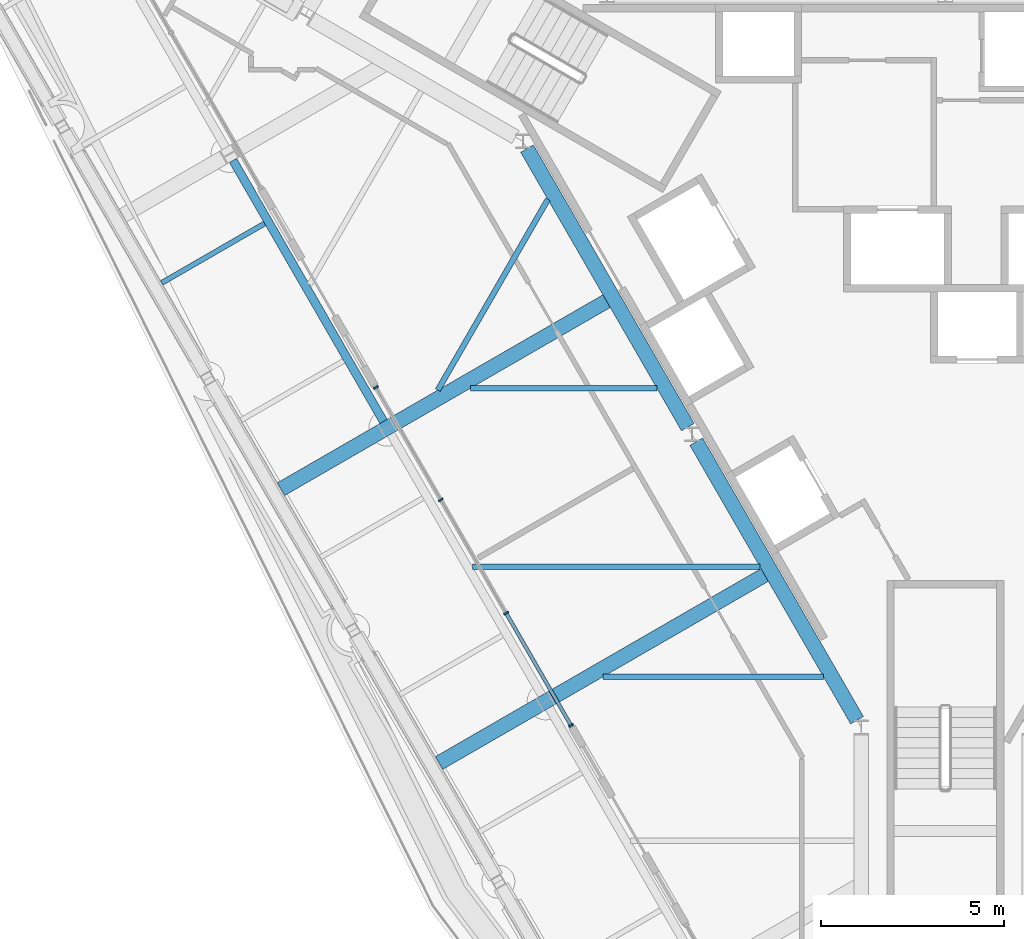
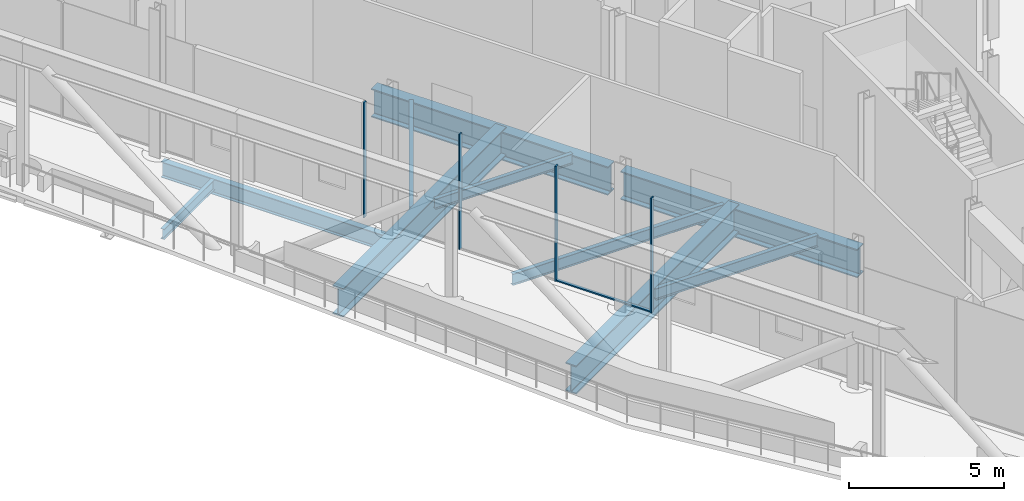
# One storey, part 7 of 24: 10 beams, 5 members, 1 element without a shape of its own.
"""IFC4 building model written with IfcOpenShell, lengths in metres."""

from ifc_helpers import new_model, si_unit, direction, frame, origin, origin_2d, place, context, subcontext, project, spatial, rectangle, i_section, extrude, material, material_profile, profile_set, type_object, element, aggregate, save


model = new_model("IFC4")

# Units and contexts
model_context = context("Model", 3, precision=1e-05, world=origin(), true_north=direction((0.0, 1.0)))
body_context = subcontext(model_context, "Body", "Model", "MODEL_VIEW")
ifc_project = project(units=[si_unit("LENGTHUNIT", "METRE"), si_unit("AREAUNIT", "SQUARE_METRE"), si_unit("VOLUMEUNIT", "CUBIC_METRE"), si_unit("PLANEANGLEUNIT", "RADIAN"), si_unit("MASSUNIT", "GRAM", prefix="KILO")], contexts=[model_context])

# Site, building, storey
site_placement = place(None, origin())
site = spatial("IfcSite", under=ifc_project, at=site_placement, CompositionType="ELEMENT")
building_placement = place(site_placement, origin())
building = spatial("IfcBuilding", under=site, at=building_placement, Name="Verrane Prism Tower", CompositionType="ELEMENT")
storey_placement = place(building_placement, frame((0.0, 0.0, 200.60009765625)))
storey = spatial("IfcBuildingStorey", under=building, at=storey_placement, Name="L50", CompositionType="ELEMENT", Elevation=200.60009765625)

# Beams
ifc_material_1 = material(Name="Steel A992", Category="steel")
ifc_material_profile_1 = material_profile(ifc_material_1, i_section(OverallWidth=0.140380859375, OverallDepth=0.40380859375, WebThickness=0.007080078125, FlangeThickness=0.01123046875, FilletRadius=0.01025390625, at=origin_2d()), Name="W16x31")
ifc_profile_set_1 = profile_set([ifc_material_profile_1], Name="Steel A992")
beam_type_1 = type_object("IfcBeamType", Name="Floor beam W16x31", PredefinedType="BEAM", material=ifc_profile_set_1)
beam_1_placement = place(storey_placement, frame((-21.4365234375, 0.147216796875, -0.362060546875), z_axis=(0.86601641886, 0.500015562023, 0.0), x_axis=(-0.500015562023, 0.86601641886, 0.0)))
element("IfcBeam", 1, at=beam_1_placement, inside=storey, type_object=beam_type_1, Name="Floor beam L50", PredefinedType="BEAM", context=body_context, shape_type="SweptSolid", body=[
    extrude(i_section(OverallWidth=0.140380859375, OverallDepth=0.40380859375, WebThickness=0.007080078125, FlangeThickness=0.01123046875, FilletRadius=0.01025390625, at=origin_2d()), origin(), (0.0, 0.0, 1.0), 3.24462890625),
])
beam_2_placement = place(storey_placement, frame((-12.990478515625, -2.73681640625, -0.362060546875), z_axis=(1.0, 0.0, 0.0), x_axis=(0.0, 1.0, 0.0)))
element("IfcBeam", 2, at=beam_2_placement, inside=storey, type_object=beam_type_1, Name="Floor beam L50", PredefinedType="BEAM", context=body_context, shape_type="SweptSolid", body=[
    extrude(i_section(OverallWidth=0.140380859375, OverallDepth=0.40380859375, WebThickness=0.007080078125, FlangeThickness=0.01123046875, FilletRadius=0.01025390625, at=origin_2d()), origin(), (0.0, 0.0, 1.0), 5.099609375),
])
ifc_material_2 = material(Name="Steel A992", Category="steel")
ifc_material_profile_2 = material_profile(ifc_material_2, i_section(OverallWidth=0.15234375, OverallDepth=0.449462890625, WebThickness=0.007568359375, FlangeThickness=0.0107421875, FilletRadius=0.01025390625, at=origin_2d()), Name="W18x35")
ifc_profile_set_2 = profile_set([ifc_material_profile_2], Name="Steel A992")
beam_type_2 = type_object("IfcBeamType", Name="Floor beam W18x35", PredefinedType="BEAM", material=ifc_profile_set_2)
beam_3_placement = place(storey_placement, frame((-13.885498046875, -2.786865234375, -0.385009765625), z_axis=(0.5000230048, 0.86601212155, 0.0), x_axis=(-0.86601212155, 0.5000230048, 0.0)))
element("IfcBeam", 3, at=beam_3_placement, inside=storey, type_object=beam_type_2, Name="Floor beam L50", PredefinedType="BEAM", context=body_context, shape_type="SweptSolid", body=[
    extrude(i_section(OverallWidth=0.15234375, OverallDepth=0.449462890625, WebThickness=0.007568359375, FlangeThickness=0.0107421875, FilletRadius=0.01025390625, at=origin_2d()), origin(), (0.0, 0.0, 1.0), 6.023681640625),
])
beam_4_placement = place(storey_placement, frame((-12.9384765625, -7.623291015625, -0.385009765625), z_axis=(1.0, 0.0, 0.0), x_axis=(0.0, 1.0, 0.0)))
element("IfcBeam", 4, at=beam_4_placement, inside=storey, type_object=beam_type_2, Name="Floor beam L50", PredefinedType="BEAM", context=body_context, shape_type="SweptSolid", body=[
    extrude(i_section(OverallWidth=0.15234375, OverallDepth=0.449462890625, WebThickness=0.007568359375, FlangeThickness=0.0107421875, FilletRadius=0.01025390625, at=origin_2d()), origin(), (0.0, 0.0, 1.0), 7.8623046875),
])
beam_5_placement = place(storey_placement, frame((-9.36328125, -10.63330078125, -0.385009765625), z_axis=(1.0, 0.0, 0.0), x_axis=(0.0, 1.0, 0.0)))
element("IfcBeam", 5, at=beam_5_placement, inside=storey, type_object=beam_type_2, Name="Floor beam L50", PredefinedType="BEAM", context=body_context, shape_type="SweptSolid", body=[
    extrude(i_section(OverallWidth=0.15234375, OverallDepth=0.449462890625, WebThickness=0.007568359375, FlangeThickness=0.0107421875, FilletRadius=0.01025390625, at=origin_2d()), origin(), (0.0, 0.0, 1.0), 6.02783203125),
])

# Curtain wall, members
ifc_material_3 = material(Name="Aluminium framed insulated glazing", Category="aluminium")
curtain_wall_type = type_object("IfcCurtainWallType", Name="Curtain wall CW-C 4200 module", PredefinedType="NOTDEFINED", material=ifc_material_3)
curtain_wall_placement = place(storey_placement, origin())
curtain_wall = element("IfcCurtainWall", 6, at=curtain_wall_placement, inside=storey, type_object=curtain_wall_type, Name="Refuge lounge glazing south-west face L50 2", PredefinedType="NOTDEFINED")
ifc_material_4 = material(Name="Aluminium alloy 6063-T6", Category="aluminium")
ifc_material_profile_3 = material_profile(ifc_material_4, rectangle(XDim=0.139892578125, YDim=0.050048828125, at=origin_2d()), Name="Mullion 50x140 aluminium")
ifc_profile_set_3 = profile_set([ifc_material_profile_3], Name="Aluminium alloy 6063-T6")
member_type_1 = type_object("IfcMemberType", Name="Mullion 50x140 aluminium", PredefinedType="MULLION", material=ifc_profile_set_3)
member_1_placement = place(storey_placement, frame((-15.580078125, -2.71630859375, 0.0), z_axis=(0.0, 0.0, 1.0), x_axis=(0.866027589941, 0.499996213447, 0.0)))
member_1 = element("IfcMember", 7, at=member_1_placement, type_object=member_type_1, Name="CW50.4.2 mullion 1", PredefinedType="MULLION", context=body_context, shape_type="SweptSolid", body=[
    extrude(rectangle(XDim=0.139892578125, YDim=0.050048828125, at=origin_2d()), origin(), (0.0, 0.0, 1.0), 4.522216796875),
])
member_2_placement = place(storey_placement, frame((-13.804443359375, -5.7919921875, 0.0), z_axis=(0.0, 0.0, 1.0), x_axis=(0.866027589941, 0.499996213447, 0.0)))
member_2 = element("IfcMember", 8, at=member_2_placement, type_object=member_type_1, Name="CW50.4.2 mullion 2", PredefinedType="MULLION", context=body_context, shape_type="SweptSolid", body=[
    extrude(rectangle(XDim=0.139892578125, YDim=0.050048828125, at=origin_2d()), origin(), (0.0, 0.0, 1.0), 4.522216796875),
])
member_3_placement = place(storey_placement, frame((-12.01611328125, -8.889404296875, 0.0), z_axis=(0.0, 0.0, 1.0), x_axis=(0.866027589941, 0.499996213447, 0.0)))
member_3 = element("IfcMember", 9, at=member_3_placement, type_object=member_type_1, Name="CW50.4.2 mullion 3", PredefinedType="MULLION", context=body_context, shape_type="SweptSolid", body=[
    extrude(rectangle(XDim=0.139892578125, YDim=0.050048828125, at=origin_2d()), origin(), (0.0, 0.0, 1.0), 4.522216796875),
])
member_4_placement = place(storey_placement, frame((-10.240478515625, -11.965087890625, 0.0), z_axis=(0.0, 0.0, 1.0), x_axis=(0.866027589941, 0.499996213447, 0.0)))
member_4 = element("IfcMember", 10, at=member_4_placement, type_object=member_type_1, Name="CW50.4.2 mullion 4", PredefinedType="MULLION", context=body_context, shape_type="SweptSolid", body=[
    extrude(rectangle(XDim=0.139892578125, YDim=0.050048828125, at=origin_2d()), origin(), (0.0, 0.0, 1.0), 4.522216796875),
])

# Beams
ifc_material_5 = material(Name="Steel A992", Category="steel")
ifc_material_profile_4 = material_profile(ifc_material_5, i_section(OverallWidth=0.23046875, OverallDepth=0.6171875, WebThickness=0.01318359375, FlangeThickness=0.022216796875, FilletRadius=0.012939453125, at=origin_2d()), Name="W24x94")
ifc_profile_set_4 = profile_set([ifc_material_profile_4], Name="Steel A992")
beam_type_3 = type_object("IfcBeamType", Name="Spandrel beam W24x94", PredefinedType="SPANDREL", material=ifc_profile_set_4)
beam_6_placement = place(storey_placement, frame((-19.48974609375, 3.49609375, -0.46875), z_axis=(0.499613933384, -0.866248184742, 0.0), x_axis=(0.866248184742, 0.499613933384, 0.0)))
element("IfcBeam", 11, at=beam_6_placement, inside=storey, type_object=beam_type_3, Name="Spandrel beam L50", PredefinedType="SPANDREL", context=body_context, shape_type="SweptSolid", body=[
    extrude(i_section(OverallWidth=0.23046875, OverallDepth=0.6171875, WebThickness=0.01318359375, FlangeThickness=0.022216796875, FilletRadius=0.012939453125, at=origin_2d()), origin(), (0.0, 0.0, 1.0), 8.2451171875),
])
ifc_material_6 = material(Name="Steel A992", Category="steel")
ifc_material_profile_5 = material_profile(ifc_material_6, i_section(OverallWidth=0.40380859375, OverallDepth=1.11767578125, WebThickness=0.026123046875, FlangeThickness=0.044921875, FilletRadius=0.02001953125, at=origin_2d()), Name="W44x335")
ifc_profile_set_5 = profile_set([ifc_material_profile_5], Name="Steel A992")
beam_type_4 = type_object("IfcBeamType", Name="Transfer girder W44x335", PredefinedType="BEAM", material=ifc_profile_set_5)
beam_7_placement = place(storey_placement, frame((-11.44482421875, 3.820556640625, -0.808837890625), z_axis=(0.499967414725, -0.866044216084, 0.0), x_axis=(0.866044216084, 0.499967414725, 0.0)))
element("IfcBeam", 12, at=beam_7_placement, inside=storey, type_object=beam_type_4, Name="Transfer girder L50", PredefinedType="BEAM", context=body_context, shape_type="SweptSolid", body=[
    extrude(i_section(OverallWidth=0.40380859375, OverallDepth=1.11767578125, WebThickness=0.026123046875, FlangeThickness=0.044921875, FilletRadius=0.02001953125, at=origin_2d()), origin(), (0.0, 0.0, 1.0), 8.7998046875),
])
beam_8_placement = place(storey_placement, frame((-6.81494140625, -4.199462890625, -0.808837890625), z_axis=(0.499988222896, -0.866032203192, 0.0), x_axis=(0.866032203192, 0.499988222896, 0.0)))
element("IfcBeam", 13, at=beam_8_placement, inside=storey, type_object=beam_type_4, Name="Transfer girder L50", PredefinedType="BEAM", context=body_context, shape_type="SweptSolid", body=[
    extrude(i_section(OverallWidth=0.40380859375, OverallDepth=1.11767578125, WebThickness=0.026123046875, FlangeThickness=0.044921875, FilletRadius=0.02001953125, at=origin_2d()), origin(), (0.0, 0.0, 1.0), 8.800048828125),
])
for number, where, z_axis, x_axis, name in (
    (14, (-18.17529296875, -5.497314453125, -0.718994140625), (0.866031297746, 0.49998979122, 0.0), (-0.49998979122, 0.866031297746, 0.0), "Transfer girder L50"),
    (15, (-13.849609375, -12.989990234375, -0.718994140625), (0.866015397586, 0.500017330844, 0.0), (-0.500017330844, 0.866015397586, 0.0), "Transfer girder L50"),
):
    element("IfcBeam", number, at=place(storey_placement, frame(where, z_axis=z_axis, x_axis=x_axis)), inside=storey, type_object=beam_type_4, Name=name, PredefinedType="BEAM", context=body_context, shape_type="SweptSolid", body=[
        extrude(i_section(OverallWidth=0.40380859375, OverallDepth=1.11767578125, WebThickness=0.026123046875, FlangeThickness=0.044921875, FilletRadius=0.02001953125, at=origin_2d()), origin(), (0.0, 0.0, 1.0), 10.487548828125),
    ])

# Member
ifc_material_7 = material(Name="Aluminium alloy 6063-T6", Category="aluminium")
ifc_material_profile_6 = material_profile(ifc_material_7, rectangle(XDim=0.10009765625, YDim=0.050048828125, at=origin_2d()), Name="Transom 50x100 aluminium")
ifc_profile_set_6 = profile_set([ifc_material_profile_6], Name="Aluminium alloy 6063-T6")
member_type_2 = type_object("IfcMemberType", Name="Transom 50x100 aluminium", PredefinedType="USERDEFINED", material=ifc_profile_set_6)
member_5_placement = place(storey_placement, frame((-12.003662109375, -8.9111328125, 0.02490234375), z_axis=(0.499986001567, -0.866033485632, 0.0), x_axis=(0.866033485632, 0.499986001567, 0.0)))
member_5 = element("IfcMember", 16, at=member_5_placement, type_object=member_type_2, Name="CW50.4.2 transom 3", ObjectType="TRANSOM", PredefinedType="USERDEFINED", context=body_context, shape_type="SweptSolid", body=[
    extrude(rectangle(XDim=0.10009765625, YDim=0.050048828125, at=origin_2d()), origin(), (0.0, 0.0, 1.0), 3.50146484375),
])

aggregate(curtain_wall, [member_1, member_2, member_3, member_4, member_5])

save(model, "model.ifc")
